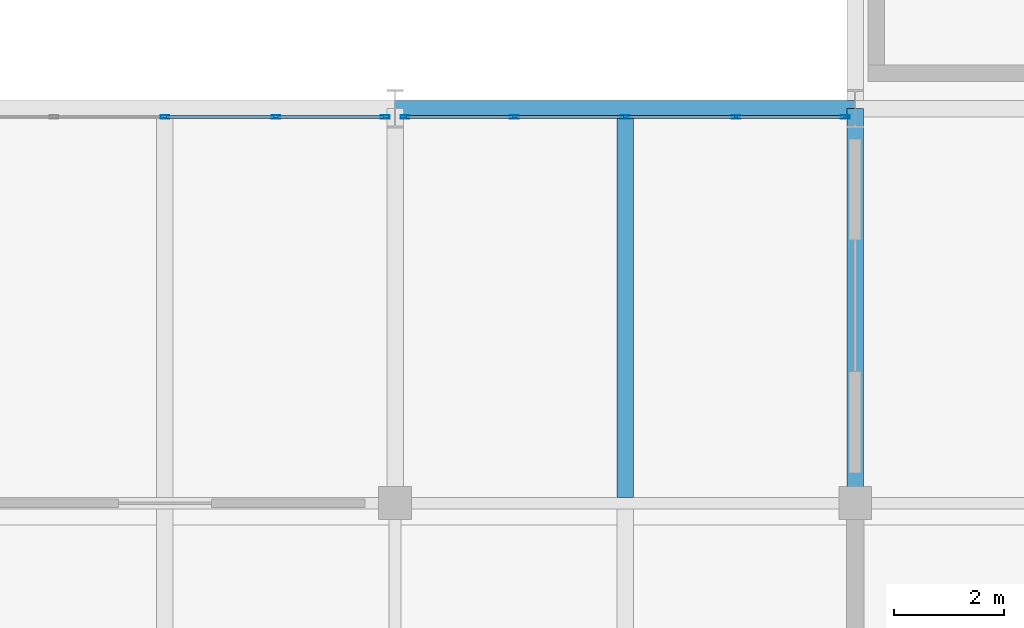
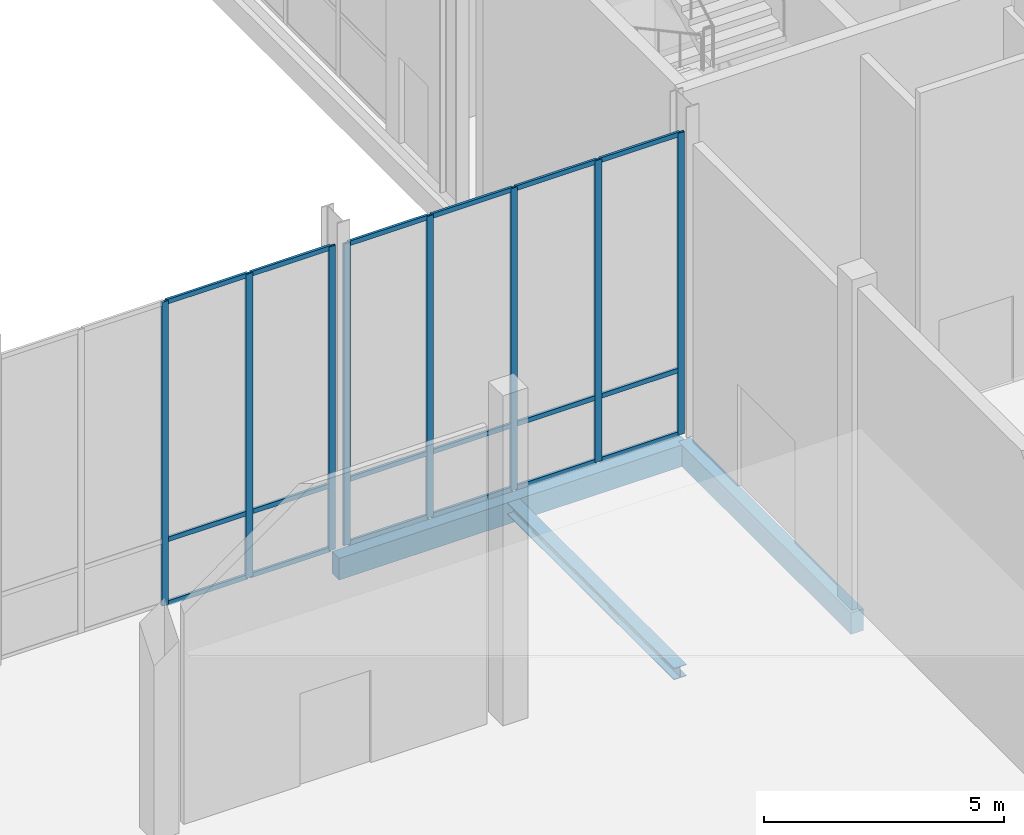
# One storey, part 35 of 131: 26 members, 3 beams, 2 elements without a shape of their own.
"""IFC4 building model written with IfcOpenShell, lengths in metres."""

from ifc_helpers import new_model, si_unit, direction, frame, origin, origin_2d, place, context, subcontext, project, spatial, rectangle, hollow_rectangle, i_section, extrude, material, material_profile, profile_set, type_object, element, aggregate, save


model = new_model("IFC4")

# Units and contexts
model_context = context("Model", 3, precision=1e-05, world=origin(), true_north=direction((0.0, 1.0)))
body_context = subcontext(model_context, "Body", "Model", "MODEL_VIEW")
ifc_project = project(units=[si_unit("LENGTHUNIT", "METRE"), si_unit("AREAUNIT", "SQUARE_METRE"), si_unit("VOLUMEUNIT", "CUBIC_METRE"), si_unit("PLANEANGLEUNIT", "RADIAN"), si_unit("MASSUNIT", "GRAM", prefix="KILO")], contexts=[model_context])

# Site, building, storey
site_placement = place(None, origin())
site = spatial("IfcSite", under=ifc_project, at=site_placement, CompositionType="ELEMENT")
building_placement = place(site_placement, origin())
building = spatial("IfcBuilding", under=site, at=building_placement, Name="Veltarok Museum of Natural Sciences", CompositionType="ELEMENT")
storey_placement = place(building_placement, origin())
storey = spatial("IfcBuildingStorey", under=building, at=storey_placement, Name="L00", CompositionType="ELEMENT", Elevation=0.0)

# Curtain wall, members
ifc_material_1 = material(Name="Low-iron triple insulated glass", Category="glass")
curtain_wall_type_1 = type_object("IfcCurtainWallType", Name="Curtain Wall System CW-V5CN-L00-1-810x773 (CW-V5CN L00 810x773cm)", PredefinedType="NOTDEFINED", material=ifc_material_1)
curtain_wall_1_placement = place(storey_placement, origin())
curtain_wall_1 = element("IfcCurtainWall", 1, at=curtain_wall_1_placement, inside=storey, type_object=curtain_wall_type_1, Name="Curtain Wall CW-V5CN-L00-1-810x773 CW-0185", PredefinedType="NOTDEFINED")
ifc_material_2 = material(Name="Thermally broken anodised aluminium", Category="aluminium")
ifc_material_profile_1 = material_profile(ifc_material_2, hollow_rectangle(XDim=0.06005859375, YDim=0.1201171875, WallThickness=0.0048828125, at=origin_2d()), Name="CW TRANSOM 60x120x5")
ifc_profile_set_1 = profile_set([ifc_material_profile_1], Name="Thermally broken anodised aluminium")
member_type_1 = type_object("IfcMemberType", Name="Curtain Wall Horizontal Transom 60x120x5", PredefinedType="USERDEFINED", material=ifc_profile_set_1)
member_1_placement = place(storey_placement, frame((123.7900390625, 26.25, 0.028076171875), z_axis=(-1.0, 0.0, 0.0), x_axis=(0.0, -1.0, 0.0)))
member_1 = element("IfcMember", 2, at=member_1_placement, type_object=member_type_1, Name="CW-V5CN-L00-1-810x773 transom 1.1", ObjectType="TRANSOM", PredefinedType="USERDEFINED", context=body_context, shape_type="SweptSolid", body=[
    extrude(hollow_rectangle(XDim=0.06005859375, YDim=0.1201171875, WallThickness=0.0048828125, at=origin_2d()), origin(), (0.0, 0.0, 1.0), 1.93505859375),
])
member_2_placement = place(storey_placement, frame((123.7900390625, 26.25, 1.64794921875), z_axis=(-1.0, 0.0, 0.0), x_axis=(0.0, -1.0, 0.0)))
member_2 = element("IfcMember", 3, at=member_2_placement, type_object=member_type_1, Name="CW-V5CN-L00-1-810x773 transom 1.2", ObjectType="TRANSOM", PredefinedType="USERDEFINED", context=body_context, shape_type="SweptSolid", body=[
    extrude(hollow_rectangle(XDim=0.06005859375, YDim=0.1201171875, WallThickness=0.0048828125, at=origin_2d()), origin(), (0.0, 0.0, 1.0), 1.93505859375),
])
member_3_placement = place(storey_placement, frame((123.7900390625, 26.25, 7.699951171875), z_axis=(-1.0, 0.0, 0.0), x_axis=(0.0, -1.0, 0.0)))
member_3 = element("IfcMember", 4, at=member_3_placement, type_object=member_type_1, Name="CW-V5CN-L00-1-810x773 transom 1.3", ObjectType="TRANSOM", PredefinedType="USERDEFINED", context=body_context, shape_type="SweptSolid", body=[
    extrude(hollow_rectangle(XDim=0.06005859375, YDim=0.1201171875, WallThickness=0.0048828125, at=origin_2d()), origin(), (0.0, 0.0, 1.0), 1.93505859375),
])
member_4_placement = place(storey_placement, frame((121.794921875, 26.25, 0.028076171875), z_axis=(-1.0, 0.0, 0.0), x_axis=(0.0, -1.0, 0.0)))
member_4 = element("IfcMember", 5, at=member_4_placement, type_object=member_type_1, Name="CW-V5CN-L00-1-810x773 transom 2.1", ObjectType="TRANSOM", PredefinedType="USERDEFINED", context=body_context, shape_type="SweptSolid", body=[
    extrude(hollow_rectangle(XDim=0.06005859375, YDim=0.1201171875, WallThickness=0.0048828125, at=origin_2d()), origin(), (0.0, 0.0, 1.0), 1.96484375),
])
member_5_placement = place(storey_placement, frame((121.794921875, 26.25, 1.64794921875), z_axis=(-1.0, 0.0, 0.0), x_axis=(0.0, -1.0, 0.0)))
member_5 = element("IfcMember", 6, at=member_5_placement, type_object=member_type_1, Name="CW-V5CN-L00-1-810x773 transom 2.2", ObjectType="TRANSOM", PredefinedType="USERDEFINED", context=body_context, shape_type="SweptSolid", body=[
    extrude(hollow_rectangle(XDim=0.06005859375, YDim=0.1201171875, WallThickness=0.0048828125, at=origin_2d()), origin(), (0.0, 0.0, 1.0), 1.96484375),
])
member_6_placement = place(storey_placement, frame((121.794921875, 26.25, 7.699951171875), z_axis=(-1.0, 0.0, 0.0), x_axis=(0.0, -1.0, 0.0)))
member_6 = element("IfcMember", 7, at=member_6_placement, type_object=member_type_1, Name="CW-V5CN-L00-1-810x773 transom 2.3", ObjectType="TRANSOM", PredefinedType="USERDEFINED", context=body_context, shape_type="SweptSolid", body=[
    extrude(hollow_rectangle(XDim=0.06005859375, YDim=0.1201171875, WallThickness=0.0048828125, at=origin_2d()), origin(), (0.0, 0.0, 1.0), 1.96484375),
])

curtain_wall_type_2 = type_object("IfcCurtainWallType", Name="Curtain Wall System CW-V5CN-L00-2-810x768 (CW-V5CN L00 810x768cm)", PredefinedType="NOTDEFINED", material=ifc_material_1)
curtain_wall_2_placement = place(storey_placement, origin())
curtain_wall_2 = element("IfcCurtainWall", 8, at=curtain_wall_2_placement, inside=storey, type_object=curtain_wall_type_2, Name="Curtain Wall CW-V5CN-L00-2-810x768 CW-0186", PredefinedType="NOTDEFINED")
member_7_placement = place(storey_placement, frame((132.18994140625, 26.25, 0.028076171875), z_axis=(-1.0, 0.0, 0.0), x_axis=(0.0, -1.0, 0.0)))
member_7 = element("IfcMember", 9, at=member_7_placement, type_object=member_type_1, Name="CW-V5CN-L00-2-810x768 transom 1.1", ObjectType="TRANSOM", PredefinedType="USERDEFINED", context=body_context, shape_type="SweptSolid", body=[
    extrude(hollow_rectangle(XDim=0.06005859375, YDim=0.1201171875, WallThickness=0.0048828125, at=origin_2d()), origin(), (0.0, 0.0, 1.0), 1.93505859375),
])
member_8_placement = place(storey_placement, frame((132.18994140625, 26.25, 1.64794921875), z_axis=(-1.0, 0.0, 0.0), x_axis=(0.0, -1.0, 0.0)))
member_8 = element("IfcMember", 10, at=member_8_placement, type_object=member_type_1, Name="CW-V5CN-L00-2-810x768 transom 1.2", ObjectType="TRANSOM", PredefinedType="USERDEFINED", context=body_context, shape_type="SweptSolid", body=[
    extrude(hollow_rectangle(XDim=0.06005859375, YDim=0.1201171875, WallThickness=0.0048828125, at=origin_2d()), origin(), (0.0, 0.0, 1.0), 1.93505859375),
])
member_9_placement = place(storey_placement, frame((132.18994140625, 26.25, 7.64990234375), z_axis=(-1.0, 0.0, 0.0), x_axis=(0.0, -1.0, 0.0)))
member_9 = element("IfcMember", 11, at=member_9_placement, type_object=member_type_1, Name="CW-V5CN-L00-2-810x768 transom 1.3", ObjectType="TRANSOM", PredefinedType="USERDEFINED", context=body_context, shape_type="SweptSolid", body=[
    extrude(hollow_rectangle(XDim=0.06005859375, YDim=0.1201171875, WallThickness=0.0048828125, at=origin_2d()), origin(), (0.0, 0.0, 1.0), 1.93505859375),
])
member_10_placement = place(storey_placement, frame((130.195068359375, 26.25, 0.028076171875), z_axis=(-1.0, 0.0, 0.0), x_axis=(0.0, -1.0, 0.0)))
member_10 = element("IfcMember", 12, at=member_10_placement, type_object=member_type_1, Name="CW-V5CN-L00-2-810x768 transom 2.1", ObjectType="TRANSOM", PredefinedType="USERDEFINED", context=body_context, shape_type="SweptSolid", body=[
    extrude(hollow_rectangle(XDim=0.06005859375, YDim=0.1201171875, WallThickness=0.0048828125, at=origin_2d()), origin(), (0.0, 0.0, 1.0), 1.965087890625),
])
member_11_placement = place(storey_placement, frame((130.195068359375, 26.25, 1.64794921875), z_axis=(-1.0, 0.0, 0.0), x_axis=(0.0, -1.0, 0.0)))
member_11 = element("IfcMember", 13, at=member_11_placement, type_object=member_type_1, Name="CW-V5CN-L00-2-810x768 transom 2.2", ObjectType="TRANSOM", PredefinedType="USERDEFINED", context=body_context, shape_type="SweptSolid", body=[
    extrude(hollow_rectangle(XDim=0.06005859375, YDim=0.1201171875, WallThickness=0.0048828125, at=origin_2d()), origin(), (0.0, 0.0, 1.0), 1.965087890625),
])
member_12_placement = place(storey_placement, frame((130.195068359375, 26.25, 7.64990234375), z_axis=(-1.0, 0.0, 0.0), x_axis=(0.0, -1.0, 0.0)))
member_12 = element("IfcMember", 14, at=member_12_placement, type_object=member_type_1, Name="CW-V5CN-L00-2-810x768 transom 2.3", ObjectType="TRANSOM", PredefinedType="USERDEFINED", context=body_context, shape_type="SweptSolid", body=[
    extrude(hollow_rectangle(XDim=0.06005859375, YDim=0.1201171875, WallThickness=0.0048828125, at=origin_2d()), origin(), (0.0, 0.0, 1.0), 1.965087890625),
])
member_13_placement = place(storey_placement, frame((128.169921875, 26.25, 0.028076171875), z_axis=(-1.0, 0.0, 0.0), x_axis=(0.0, -1.0, 0.0)))
member_13 = element("IfcMember", 15, at=member_13_placement, type_object=member_type_1, Name="CW-V5CN-L00-2-810x768 transom 3.1", ObjectType="TRANSOM", PredefinedType="USERDEFINED", context=body_context, shape_type="SweptSolid", body=[
    extrude(hollow_rectangle(XDim=0.06005859375, YDim=0.1201171875, WallThickness=0.0048828125, at=origin_2d()), origin(), (0.0, 0.0, 1.0), 1.96484375),
])
member_14_placement = place(storey_placement, frame((128.169921875, 26.25, 1.64794921875), z_axis=(-1.0, 0.0, 0.0), x_axis=(0.0, -1.0, 0.0)))
member_14 = element("IfcMember", 16, at=member_14_placement, type_object=member_type_1, Name="CW-V5CN-L00-2-810x768 transom 3.2", ObjectType="TRANSOM", PredefinedType="USERDEFINED", context=body_context, shape_type="SweptSolid", body=[
    extrude(hollow_rectangle(XDim=0.06005859375, YDim=0.1201171875, WallThickness=0.0048828125, at=origin_2d()), origin(), (0.0, 0.0, 1.0), 1.96484375),
])
member_15_placement = place(storey_placement, frame((128.169921875, 26.25, 7.64990234375), z_axis=(-1.0, 0.0, 0.0), x_axis=(0.0, -1.0, 0.0)))
member_15 = element("IfcMember", 17, at=member_15_placement, type_object=member_type_1, Name="CW-V5CN-L00-2-810x768 transom 3.3", ObjectType="TRANSOM", PredefinedType="USERDEFINED", context=body_context, shape_type="SweptSolid", body=[
    extrude(hollow_rectangle(XDim=0.06005859375, YDim=0.1201171875, WallThickness=0.0048828125, at=origin_2d()), origin(), (0.0, 0.0, 1.0), 1.96484375),
])
member_16_placement = place(storey_placement, frame((126.14501953125, 26.25, 0.028076171875), z_axis=(-1.0, 0.0, 0.0), x_axis=(0.0, -1.0, 0.0)))
member_16 = element("IfcMember", 18, at=member_16_placement, type_object=member_type_1, Name="CW-V5CN-L00-2-810x768 transom 4.1", ObjectType="TRANSOM", PredefinedType="USERDEFINED", context=body_context, shape_type="SweptSolid", body=[
    extrude(hollow_rectangle(XDim=0.06005859375, YDim=0.1201171875, WallThickness=0.0048828125, at=origin_2d()), origin(), (0.0, 0.0, 1.0), 1.93505859375),
])
member_17_placement = place(storey_placement, frame((126.14501953125, 26.25, 1.64794921875), z_axis=(-1.0, 0.0, 0.0), x_axis=(0.0, -1.0, 0.0)))
member_17 = element("IfcMember", 19, at=member_17_placement, type_object=member_type_1, Name="CW-V5CN-L00-2-810x768 transom 4.2", ObjectType="TRANSOM", PredefinedType="USERDEFINED", context=body_context, shape_type="SweptSolid", body=[
    extrude(hollow_rectangle(XDim=0.06005859375, YDim=0.1201171875, WallThickness=0.0048828125, at=origin_2d()), origin(), (0.0, 0.0, 1.0), 1.93505859375),
])
member_18_placement = place(storey_placement, frame((126.14501953125, 26.25, 7.64990234375), z_axis=(-1.0, 0.0, 0.0), x_axis=(0.0, -1.0, 0.0)))
member_18 = element("IfcMember", 20, at=member_18_placement, type_object=member_type_1, Name="CW-V5CN-L00-2-810x768 transom 4.3", ObjectType="TRANSOM", PredefinedType="USERDEFINED", context=body_context, shape_type="SweptSolid", body=[
    extrude(hollow_rectangle(XDim=0.06005859375, YDim=0.1201171875, WallThickness=0.0048828125, at=origin_2d()), origin(), (0.0, 0.0, 1.0), 1.93505859375),
])

# Member
ifc_material_profile_2 = material_profile(ifc_material_2, hollow_rectangle(XDim=0.06005859375, YDim=0.159912109375, WallThickness=0.0048828125, at=origin_2d()), Name="CW MULLION 60x160x5")
ifc_profile_set_2 = profile_set([ifc_material_profile_2], Name="Thermally broken anodised aluminium")
member_type_2 = type_object("IfcMemberType", Name="Curtain Wall Vertical Mullion 60x160x5", PredefinedType="MULLION", material=ifc_profile_set_2)
member_19_placement = place(storey_placement, frame((123.820068359375, 26.25, -0.001953125), z_axis=(0.0, 0.0, 1.0), x_axis=(0.0, -1.0, 0.0)))
member_19 = element("IfcMember", 21, at=member_19_placement, type_object=member_type_2, Name="CW-V5CN-L00-1-810x773 mullion 1", PredefinedType="MULLION", context=body_context, shape_type="SweptSolid", body=[
    extrude(hollow_rectangle(XDim=0.06005859375, YDim=0.159912109375, WallThickness=0.0048828125, at=origin_2d()), origin(), (0.0, 0.0, 1.0), 7.73193359375),
])

member_20_placement = place(storey_placement, frame((121.824951171875, 26.25, -0.001953125), z_axis=(0.0, 0.0, 1.0), x_axis=(0.0, -1.0, 0.0)))
member_20 = element("IfcMember", 22, at=member_20_placement, type_object=member_type_2, Name="CW-V5CN-L00-1-810x773 mullion 2", PredefinedType="MULLION", context=body_context, shape_type="SweptSolid", body=[
    extrude(hollow_rectangle(XDim=0.06005859375, YDim=0.159912109375, WallThickness=0.0048828125, at=origin_2d()), origin(), (0.0, 0.0, 1.0), 7.73193359375),
])

member_21_placement = place(storey_placement, frame((119.800048828125, 26.25, -0.001953125), z_axis=(0.0, 0.0, 1.0), x_axis=(0.0, -1.0, 0.0)))
member_21 = element("IfcMember", 23, at=member_21_placement, type_object=member_type_2, Name="CW-V5CN-L00-1-810x773 mullion 3", PredefinedType="MULLION", context=body_context, shape_type="SweptSolid", body=[
    extrude(hollow_rectangle(XDim=0.06005859375, YDim=0.159912109375, WallThickness=0.0048828125, at=origin_2d()), origin(), (0.0, 0.0, 1.0), 7.73193359375),
])

aggregate(curtain_wall_1, [member_19, member_20, member_21, member_1, member_2, member_3, member_4, member_5, member_6])

member_22_placement = place(storey_placement, frame((132.219970703125, 26.25, -0.001953125), z_axis=(0.0, 0.0, 1.0), x_axis=(0.0, -1.0, 0.0)))
member_22 = element("IfcMember", 24, at=member_22_placement, type_object=member_type_2, Name="CW-V5CN-L00-2-810x768 mullion 1", PredefinedType="MULLION", context=body_context, shape_type="SweptSolid", body=[
    extrude(hollow_rectangle(XDim=0.06005859375, YDim=0.159912109375, WallThickness=0.0048828125, at=origin_2d()), origin(), (0.0, 0.0, 1.0), 7.681884765625),
])

member_23_placement = place(storey_placement, frame((130.22509765625, 26.25, -0.001953125), z_axis=(0.0, 0.0, 1.0), x_axis=(0.0, -1.0, 0.0)))
member_23 = element("IfcMember", 25, at=member_23_placement, type_object=member_type_2, Name="CW-V5CN-L00-2-810x768 mullion 2", PredefinedType="MULLION", context=body_context, shape_type="SweptSolid", body=[
    extrude(hollow_rectangle(XDim=0.06005859375, YDim=0.159912109375, WallThickness=0.0048828125, at=origin_2d()), origin(), (0.0, 0.0, 1.0), 7.681884765625),
])

member_24_placement = place(storey_placement, frame((128.199951171875, 26.25, -0.001953125), z_axis=(0.0, 0.0, 1.0), x_axis=(0.0, -1.0, 0.0)))
member_24 = element("IfcMember", 26, at=member_24_placement, type_object=member_type_2, Name="CW-V5CN-L00-2-810x768 mullion 3", PredefinedType="MULLION", context=body_context, shape_type="SweptSolid", body=[
    extrude(hollow_rectangle(XDim=0.06005859375, YDim=0.159912109375, WallThickness=0.0048828125, at=origin_2d()), origin(), (0.0, 0.0, 1.0), 7.681884765625),
])

member_25_placement = place(storey_placement, frame((126.175048828125, 26.25, -0.001953125), z_axis=(0.0, 0.0, 1.0), x_axis=(0.0, -1.0, 0.0)))
member_25 = element("IfcMember", 27, at=member_25_placement, type_object=member_type_2, Name="CW-V5CN-L00-2-810x768 mullion 4", PredefinedType="MULLION", context=body_context, shape_type="SweptSolid", body=[
    extrude(hollow_rectangle(XDim=0.06005859375, YDim=0.159912109375, WallThickness=0.0048828125, at=origin_2d()), origin(), (0.0, 0.0, 1.0), 7.681884765625),
])

member_26_placement = place(storey_placement, frame((124.179931640625, 26.25, -0.001953125), z_axis=(0.0, 0.0, 1.0), x_axis=(0.0, -1.0, 0.0)))
member_26 = element("IfcMember", 28, at=member_26_placement, type_object=member_type_2, Name="CW-V5CN-L00-2-810x768 mullion 5", PredefinedType="MULLION", context=body_context, shape_type="SweptSolid", body=[
    extrude(hollow_rectangle(XDim=0.06005859375, YDim=0.159912109375, WallThickness=0.0048828125, at=origin_2d()), origin(), (0.0, 0.0, 1.0), 7.681884765625),
])

aggregate(curtain_wall_2, [member_22, member_23, member_24, member_25, member_26, member_7, member_8, member_9, member_10, member_11, member_12, member_13, member_14, member_15, member_16, member_17, member_18])

# Beams
ifc_material_3 = material(Name="Precast concrete C40/50", Category="concrete")
ifc_material_profile_3 = material_profile(ifc_material_3, rectangle(XDim=0.300048828125, YDim=0.550048828125, at=origin_2d()), Name="RC 300x550")
ifc_profile_set_3 = profile_set([ifc_material_profile_3], Name="Precast concrete C40/50")
beam_type_1 = type_object("IfcBeamType", Name="East Wing Precast Spandrel RC 300x550", PredefinedType="SPANDREL", material=ifc_profile_set_3)
beam_1_placement = place(storey_placement, frame((124.0, 26.39990234375, -0.574951171875), z_axis=(1.0, 0.0, 0.0), x_axis=(0.0, 1.0, 0.0)))
element("IfcBeam", 29, at=beam_1_placement, inside=storey, type_object=beam_type_1, Name="Beam BM-SP02 L00 15-16/D", PredefinedType="SPANDREL", context=body_context, shape_type="SweptSolid", body=[
    extrude(rectangle(XDim=0.300048828125, YDim=0.550048828125, at=origin_2d()), origin(), (0.0, 0.0, 1.0), 8.39990234375),
])
beam_2_placement = place(storey_placement, frame((132.39990234375, 19.199951171875, -0.574951171875), z_axis=(0.0, 1.0, 0.0), x_axis=(-1.0, 0.0, 0.0)))
element("IfcBeam", 30, at=beam_2_placement, inside=storey, type_object=beam_type_1, Name="Beam BM-SP02 L00 16/C-D", PredefinedType="SPANDREL", context=body_context, shape_type="SweptSolid", body=[
    extrude(rectangle(XDim=0.300048828125, YDim=0.550048828125, at=origin_2d()), origin(), (0.0, 0.0, 1.0), 7.199951171875),
])
ifc_material_4 = material(Name="Steel S355J2", Category="steel")
ifc_material_profile_4 = material_profile(ifc_material_4, i_section(OverallWidth=0.300048828125, OverallDepth=0.300048828125, WebThickness=0.010986328125, FlangeThickness=0.01904296875, FilletRadius=0.027099609375, at=origin_2d()), Name="HEB 300")
ifc_profile_set_4 = profile_set([ifc_material_profile_4], Name="Steel S355J2")
beam_type_2 = type_object("IfcBeamType", Name="Laboratory Floor Joist HEB 300", PredefinedType="JOIST", material=ifc_profile_set_4)
beam_3_placement = place(storey_placement, frame((128.199951171875, 19.302978515625, -0.449951171875), z_axis=(0.0, 1.0, 0.0), x_axis=(-1.0, 0.0, 0.0)))
element("IfcBeam", 31, at=beam_3_placement, inside=storey, type_object=beam_type_2, Name="Secondary Joist BM-J10 L00 15-16/C-D.1", PredefinedType="JOIST", context=body_context, shape_type="SweptSolid", body=[
    extrude(i_section(OverallWidth=0.300048828125, OverallDepth=0.300048828125, WebThickness=0.010986328125, FlangeThickness=0.01904296875, FilletRadius=0.027099609375, at=origin_2d()), origin(), (0.0, 0.0, 1.0), 6.948974609375),
])

save(model, "model.ifc")
